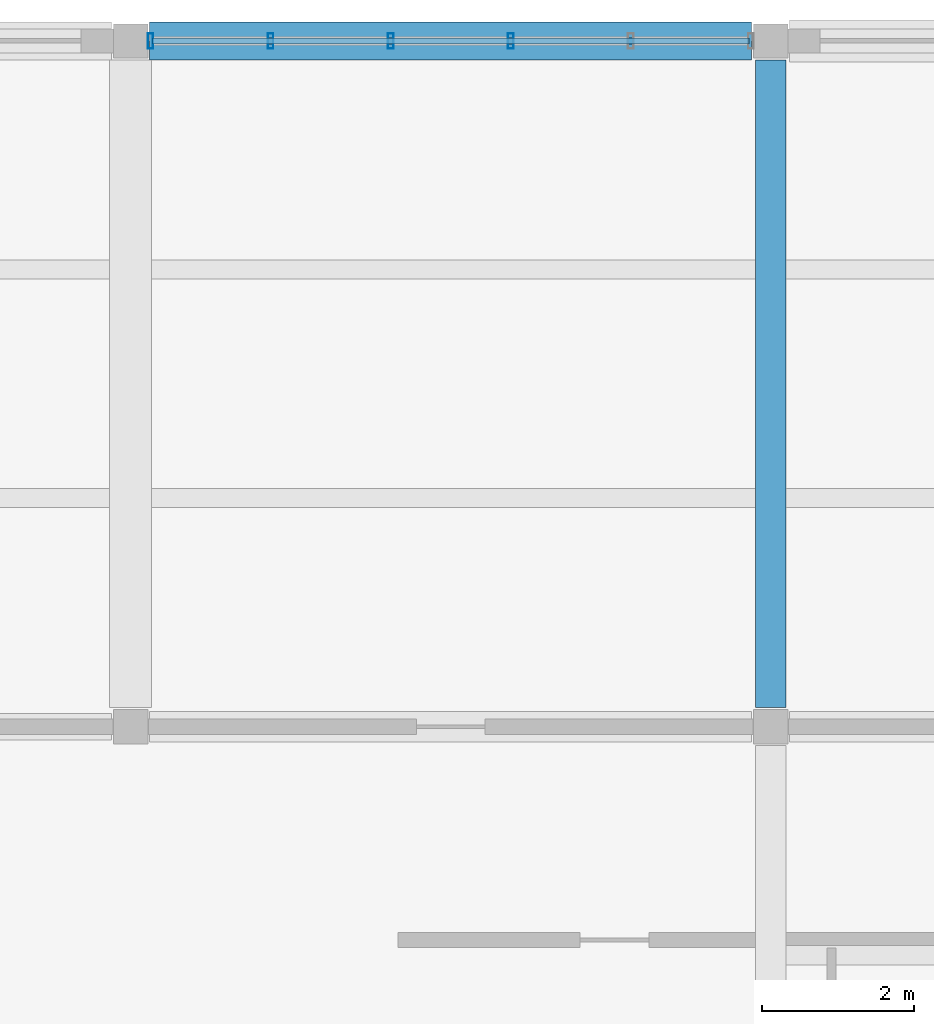
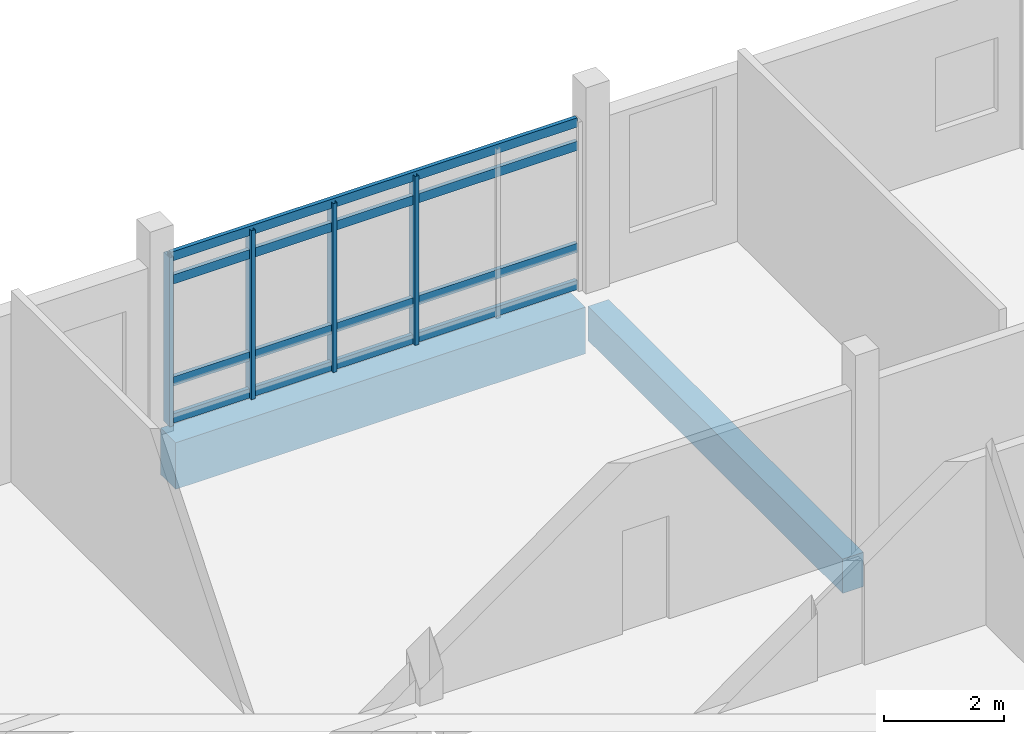
# One storey, part 38 of 62: 8 members, 2 beams, 1 element without a shape of its own.
"""IFC4 building model written with IfcOpenShell, lengths in metres."""

from ifc_helpers import new_model, si_unit, direction, frame, origin, origin_2d, place, context, subcontext, project, spatial, rectangle, hollow_rectangle, extrude, material, layer, layer_set, material_profile, profile_set, type_object, element, aggregate, save


model = new_model("IFC4")

# Units and contexts
model_context = context("Model", 3, precision=1e-05, world=origin(), true_north=direction((0.0, 1.0)))
body_context = subcontext(model_context, "Body", "Model", "MODEL_VIEW")
ifc_project = project(units=[si_unit("LENGTHUNIT", "METRE"), si_unit("AREAUNIT", "SQUARE_METRE"), si_unit("VOLUMEUNIT", "CUBIC_METRE"), si_unit("PLANEANGLEUNIT", "RADIAN"), si_unit("MASSUNIT", "GRAM", prefix="KILO")], contexts=[model_context])

# Site, building, storey
site_placement = place(None, origin())
site = spatial("IfcSite", under=ifc_project, at=site_placement, CompositionType="ELEMENT")
building_placement = place(site_placement, origin())
building = spatial("IfcBuilding", under=site, at=building_placement, Name="Vireocrest Preparatory School", CompositionType="ELEMENT")
storey_placement = place(building_placement, frame((0.0, 0.0, 17.39990234375)))
storey = spatial("IfcBuildingStorey", under=building, at=storey_placement, Name="L04", CompositionType="ELEMENT", Elevation=17.39990234375)

# Curtain wall, members
ifc_material_1 = material(Name="Thermally broken aluminium EN AW-6063-T6", Category="aluminium")
ifc_layer = layer(ifc_material_1, 0.179931640625)
ifc_layer_set = layer_set([ifc_layer], Name="Thermally broken aluminium EN AW-6063-T6")
curtain_wall_type = type_object("IfcCurtainWallType", Name="North Street Curtain Wall 8400x4000", PredefinedType="USERDEFINED", material=ifc_layer_set)
curtain_wall_placement = place(storey_placement, origin())
curtain_wall = element("IfcCurtainWall", 1, at=curtain_wall_placement, inside=storey, type_object=curtain_wall_type, Name="Curtain Wall CW05 CW_L04_CW05_0590_1128_174", ObjectType="CURTAIN WALL", PredefinedType="USERDEFINED")
ifc_material_profile_1 = material_profile(ifc_material_1, hollow_rectangle(XDim=0.074951171875, YDim=0.199951171875, WallThickness=0.0048828125, at=origin_2d()), Name="ALU 75x200x5")
ifc_profile_set_1 = profile_set([ifc_material_profile_1], Name="Thermally broken aluminium EN AW-6063-T6")
member_type_1 = type_object("IfcMemberType", Name="CW Mullion 75x200x5", PredefinedType="MULLION", material=ifc_profile_set_1)
member_1_placement = place(storey_placement, frame((59.06005859375, 112.800048828125, 0.0), z_axis=(0.0, 0.0, 1.0), x_axis=(1.0, 0.0, 0.0)))
member_1 = element("IfcMember", 2, at=member_1_placement, type_object=member_type_1, Name="CW Mullion ML3 CW_L04_CW05_0590_1128_174-1", PredefinedType="MULLION", context=body_context, shape_type="SweptSolid", body=[
    extrude(hollow_rectangle(XDim=0.074951171875, YDim=0.199951171875, WallThickness=0.0048828125, at=origin_2d()), origin(), (0.0, 0.0, 1.0), 3.445068359375),
])
member_2_placement = place(storey_placement, frame((60.635986328125, 112.800048828125, 0.0), z_axis=(0.0, 0.0, 1.0), x_axis=(1.0, 0.0, 0.0)))
member_2 = element("IfcMember", 3, at=member_2_placement, type_object=member_type_1, Name="CW Mullion ML3 CW_L04_CW05_0590_1128_174-2", PredefinedType="MULLION", context=body_context, shape_type="SweptSolid", body=[
    extrude(hollow_rectangle(XDim=0.074951171875, YDim=0.199951171875, WallThickness=0.0048828125, at=origin_2d()), origin(), (0.0, 0.0, 1.0), 3.445068359375),
])
member_3_placement = place(storey_placement, frame((62.2119140625, 112.800048828125, 0.0), z_axis=(0.0, 0.0, 1.0), x_axis=(1.0, 0.0, 0.0)))
member_3 = element("IfcMember", 4, at=member_3_placement, type_object=member_type_1, Name="CW Mullion ML3 CW_L04_CW05_0590_1128_174-3", PredefinedType="MULLION", context=body_context, shape_type="SweptSolid", body=[
    extrude(hollow_rectangle(XDim=0.074951171875, YDim=0.199951171875, WallThickness=0.0048828125, at=origin_2d()), origin(), (0.0, 0.0, 1.0), 3.445068359375),
])
member_4_placement = place(storey_placement, frame((63.7880859375, 112.800048828125, 0.0), z_axis=(0.0, 0.0, 1.0), x_axis=(1.0, 0.0, 0.0)))
member_4 = element("IfcMember", 5, at=member_4_placement, type_object=member_type_1, Name="CW Mullion ML3 CW_L04_CW05_0590_1128_174-4", PredefinedType="MULLION", context=body_context, shape_type="SweptSolid", body=[
    extrude(hollow_rectangle(XDim=0.074951171875, YDim=0.199951171875, WallThickness=0.0048828125, at=origin_2d()), origin(), (0.0, 0.0, 1.0), 3.445068359375),
])
ifc_material_profile_2 = material_profile(ifc_material_1, hollow_rectangle(XDim=0.074951171875, YDim=0.18994140625, WallThickness=0.00390625, at=origin_2d()), Name="ALU 75x190x4")
ifc_profile_set_2 = profile_set([ifc_material_profile_2], Name="Thermally broken aluminium EN AW-6063-T6")
member_type_2 = type_object("IfcMemberType", Name="CW Transom 75x190x4", PredefinedType="USERDEFINED", material=ifc_profile_set_2)
member_5_placement = place(storey_placement, frame((59.0849609375, 112.800048828125, 0.09521484375), z_axis=(1.0, 0.0, 0.0), x_axis=(0.0, 1.0, 0.0)))
member_5 = element("IfcMember", 6, at=member_5_placement, type_object=member_type_2, Name="CW Transom TR3 CW_L04_CW05_0590_1128_174-1", ObjectType="TRANSOM", PredefinedType="USERDEFINED", context=body_context, shape_type="SweptSolid", body=[
    extrude(hollow_rectangle(XDim=0.074951171875, YDim=0.18994140625, WallThickness=0.00390625, at=origin_2d()), origin(), (0.0, 0.0, 1.0), 7.830078125),
])
member_6_placement = place(storey_placement, frame((59.0849609375, 112.800048828125, 0.85009765625), z_axis=(1.0, 0.0, 0.0), x_axis=(0.0, 1.0, 0.0)))
member_6 = element("IfcMember", 7, at=member_6_placement, type_object=member_type_2, Name="CW Transom TR3 CW_L04_CW05_0590_1128_174-2", ObjectType="TRANSOM", PredefinedType="USERDEFINED", context=body_context, shape_type="SweptSolid", body=[
    extrude(hollow_rectangle(XDim=0.074951171875, YDim=0.18994140625, WallThickness=0.00390625, at=origin_2d()), origin(), (0.0, 0.0, 1.0), 7.830078125),
])
member_7_placement = place(storey_placement, frame((59.0849609375, 112.800048828125, 2.93017578125), z_axis=(1.0, 0.0, 0.0), x_axis=(0.0, 1.0, 0.0)))
member_7 = element("IfcMember", 8, at=member_7_placement, type_object=member_type_2, Name="CW Transom TR3 CW_L04_CW05_0590_1128_174-3", ObjectType="TRANSOM", PredefinedType="USERDEFINED", context=body_context, shape_type="SweptSolid", body=[
    extrude(hollow_rectangle(XDim=0.074951171875, YDim=0.18994140625, WallThickness=0.00390625, at=origin_2d()), origin(), (0.0, 0.0, 1.0), 7.830078125),
])
member_8_placement = place(storey_placement, frame((59.0849609375, 112.800048828125, 3.405029296875), z_axis=(1.0, 0.0, 0.0), x_axis=(0.0, 1.0, 0.0)))
member_8 = element("IfcMember", 9, at=member_8_placement, type_object=member_type_2, Name="CW Transom TR3 CW_L04_CW05_0590_1128_174-4", ObjectType="TRANSOM", PredefinedType="USERDEFINED", context=body_context, shape_type="SweptSolid", body=[
    extrude(hollow_rectangle(XDim=0.074951171875, YDim=0.18994140625, WallThickness=0.00390625, at=origin_2d()), origin(), (0.0, 0.0, 1.0), 7.830078125),
])
aggregate(curtain_wall, [member_1, member_2, member_3, member_4, member_5, member_6, member_7, member_8])

# Beams
ifc_material_2 = material(Name="Concrete 40 MPa", Category="concrete")
ifc_material_profile_3 = material_profile(ifc_material_2, rectangle(XDim=0.5, YDim=0.949951171875, at=origin_2d()), Name="RC 500x950")
ifc_profile_set_3 = profile_set([ifc_material_profile_3], Name="Concrete 40 MPa")
beam_type_1 = type_object("IfcBeamType", Name="RC Basement Ceiling Girder 500x950", PredefinedType="BEAM", material=ifc_profile_set_3)
beam_1_placement = place(storey_placement, frame((59.050048828125, 112.800048828125, -0.71484375), z_axis=(1.0, 0.0, 0.0), x_axis=(0.0, 1.0, 0.0)))
element("IfcBeam", 10, at=beam_1_placement, inside=storey, type_object=beam_type_1, Name="Primary Girder B16 L04-1346", PredefinedType="BEAM", context=body_context, shape_type="SweptSolid", body=[
    extrude(rectangle(XDim=0.5, YDim=0.949951171875, at=origin_2d()), origin(), (0.0, 0.0, 1.0), 7.89990234375),
])
ifc_material_profile_4 = material_profile(ifc_material_2, rectangle(XDim=0.39990234375, YDim=0.699951171875, at=origin_2d()), Name="RC 400x700")
ifc_profile_set_4 = profile_set([ifc_material_profile_4], Name="Concrete 40 MPa")
beam_type_2 = type_object("IfcBeamType", Name="RC Corridor Girder 400x700", PredefinedType="BEAM", material=ifc_profile_set_4)
beam_2_placement = place(storey_placement, frame((67.199951171875, 104.050048828125, -0.58984375), z_axis=(0.0, 1.0, 0.0), x_axis=(-1.0, 0.0, 0.0)))
element("IfcBeam", 11, at=beam_2_placement, inside=storey, type_object=beam_type_2, Name="Primary Girder B08 L04-1387", PredefinedType="BEAM", context=body_context, shape_type="SweptSolid", body=[
    extrude(rectangle(XDim=0.39990234375, YDim=0.699951171875, at=origin_2d()), origin(), (0.0, 0.0, 1.0), 8.5),
])

save(model, "model.ifc")
